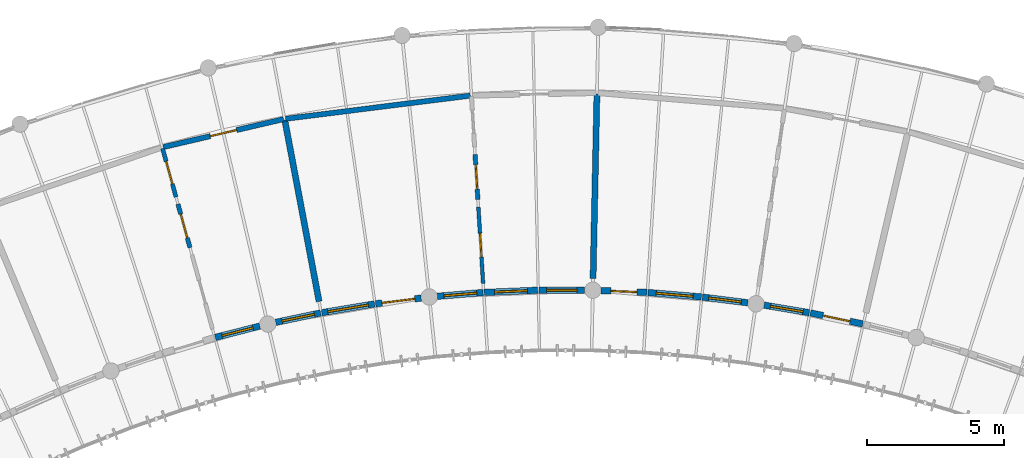
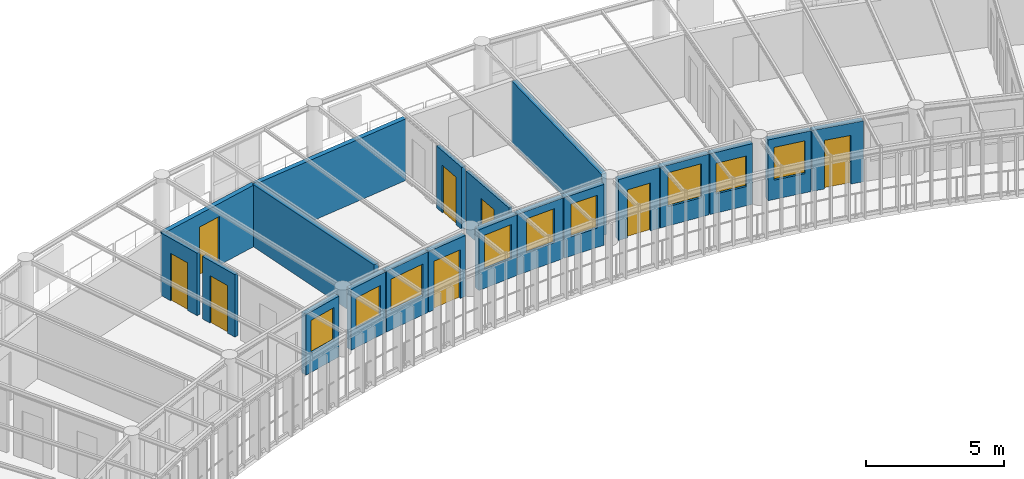
# One storey, part 73 of 100: 20 walls, 9 windows, 8 doors, 17 openings.
"""IFC4 building model written with IfcOpenShell, lengths in metres."""

from ifc_helpers import new_model, si_unit, direction, frame, frame_2d, origin, place, context, subcontext, project, spatial, rectangle, extrude, material, layer, layer_set, type_object, element, fill, save


model = new_model("IFC4")

# Units and contexts
model_context = context("Model", 3, precision=1e-05, world=origin(), true_north=direction((0.0, 1.0)))
body_context = subcontext(model_context, "Body", "Model", "MODEL_VIEW")
ifc_project = project(units=[si_unit("LENGTHUNIT", "METRE"), si_unit("AREAUNIT", "SQUARE_METRE"), si_unit("VOLUMEUNIT", "CUBIC_METRE"), si_unit("PLANEANGLEUNIT", "RADIAN"), si_unit("MASSUNIT", "GRAM", prefix="KILO"), si_unit("POWERUNIT", "WATT"), si_unit("THERMODYNAMICTEMPERATUREUNIT", "KELVIN")], contexts=[model_context])

# Site, building, storey
site_placement = place(None, origin())
site = spatial("IfcSite", under=ifc_project, at=site_placement, CompositionType="ELEMENT")
building_placement = place(site_placement, origin())
building = spatial("IfcBuilding", under=site, at=building_placement, Name="Ruvembo Vaulted Housing Court", CompositionType="ELEMENT")
storey_placement = place(building_placement, frame((0.0, 0.0, 14.10009765625)))
storey = spatial("IfcBuildingStorey", under=building, at=storey_placement, Name="L04", CompositionType="ELEMENT", Elevation=14.10009765625)

# Wall, opening, door
ifc_material_1 = material(Name="Concrete Blockwork 190", Category="masonry")
ifc_layer_1 = layer(ifc_material_1, 0.18994140625, Name="Concrete Blockwork 190")
ifc_layer_set_1 = layer_set([ifc_layer_1], Name="Concrete Blockwork 190")
wall_type_1 = type_object("IfcWallType", Name="WL-CORR-190", PredefinedType="SOLIDWALL", material=ifc_layer_set_1)
wall_1_placement = place(storey_placement, frame((102.324951171875, 103.2119140625, 0.0), z_axis=(0.0, 0.0, 1.0), x_axis=(0.974052809246, 0.226320844821, 0.0)))
wall_1 = element("IfcWall", 1, at=wall_1_placement, inside=storey, type_object=wall_type_1, Name="L04 Suite SC3-L04-U2 Entrance WL-INT-L04-01352", PredefinedType="SOLIDWALL", context=body_context, shape_type="SweptSolid", body=[
    extrude(rectangle(XDim=4.50146484375, YDim=0.18994140625, at=frame_2d((2.250732421875, 0.0))), origin(), (0.0, 0.0, 1.0), 2.721923828125),
])
opening_1_placement = place(wall_1_placement, frame((1.7607421875, 0.0, 0.0)))
opening_1 = element("IfcOpeningElement", 2, at=opening_1_placement, cuts=wall_1, Name="Opening FD2", PredefinedType="OPENING", context=body_context, shape_type="SweptSolid", body=[
    extrude(rectangle(XDim=0.97998046875, YDim=2.14990234375, at=frame_2d((0.489990234375, 1.074951171875))), frame((0.0, 0.10498046875, 0.0), z_axis=(0.0, -1.0, 0.0), x_axis=(1.0, 0.0, 0.0)), (0.0, 0.0, 1.0), 0.2099609375),
])
ifc_material_2 = material(Name="FSC Hardwood and Engineered Timber", Category="wood")
door_type_1 = type_object("IfcDoorType", Name="DR-FLAT-0980x2150", OperationType="NOTDEFINED", PredefinedType="DOOR", material=ifc_material_2)
door_1_placement = place(opening_1_placement, origin())
door_1 = element("IfcDoor", 3, at=door_1_placement, inside=storey, type_object=door_type_1, Name="L04 Suite SC3-L04-U2 Entrance Door DR-INT-L04-00760", OperationType="SINGLE_SWING_RIGHT", OverallHeight=2.14990234375, OverallWidth=0.97998046875, PredefinedType="DOOR", context=body_context, shape_type="SweptSolid", body=[
    extrude(rectangle(XDim=0.97998046875, YDim=2.14990234375, at=frame_2d((0.489990234375, 1.074951171875))), frame((0.0, 0.02490234375, 0.0), z_axis=(0.0, -1.0, 0.0), x_axis=(1.0, 0.0, 0.0)), (0.0, 0.0, 1.0), 0.050048828125),
])
fill(opening_1, door_1)

# Walls
wall_2_placement = place(storey_placement, frame((106.788330078125, 104.244873046875, 0.0), z_axis=(0.0, 0.0, 1.0), x_axis=(0.992257394877, 0.124198479504, 0.0)))
element("IfcWall", 4, at=wall_2_placement, inside=storey, type_object=wall_type_1, Name="L04 Suite SC3-L04-U3 Gallery Wall WL-INT-L04-01357", PredefinedType="SOLIDWALL", context=body_context, shape_type="SweptSolid", body=[
    extrude(rectangle(XDim=6.78955078125, YDim=0.18994140625, at=frame_2d((3.394775390625, 0.0))), origin(), (0.0, 0.0, 1.0), 2.721923828125),
])
ifc_material_3 = material(Name="Acoustic Masonry Demising 220", Category="masonry")
ifc_layer_2 = layer(ifc_material_3, 0.219970703125, Name="Acoustic Masonry Demising 220")
ifc_layer_set_2 = layer_set([ifc_layer_2], Name="Acoustic Masonry Demising 220")
wall_type_2 = type_object("IfcWallType", Name="WL-DEM-200", PredefinedType="SOLIDWALL", material=ifc_layer_set_2)
wall_3_placement = place(storey_placement, frame((108.007080078125, 97.58154296875, 0.0), z_axis=(0.0, 0.0, 1.0), x_axis=(-0.185712925624, 0.982604045003, 0.0)))
element("IfcWall", 5, at=wall_3_placement, inside=storey, type_object=wall_type_2, Name="L04 Suite SC3-L04-U2 Demising WL-INT-L04-01356", PredefinedType="SOLIDWALL", context=body_context, shape_type="SweptSolid", body=[
    extrude(rectangle(XDim=6.736083984375, YDim=0.219970703125, at=frame_2d((3.3681640625, 0.0))), origin(), (0.0, 0.0, 1.0), 2.741943359375),
])
wall_4_placement = place(storey_placement, frame((118.0048828125, 98.41357421875, 0.0), z_axis=(0.0, 0.0, 1.0), x_axis=(0.020767678819, 0.999784328501, 0.0)))
element("IfcWall", 6, at=wall_4_placement, inside=storey, type_object=wall_type_2, Name="L04 Suite SC3-L04-U3 Demising WL-INT-L04-01362", PredefinedType="SOLIDWALL", context=body_context, shape_type="SweptSolid", body=[
    extrude(rectangle(XDim=6.736083984375, YDim=0.219970703125, at=frame_2d((3.3681640625, 0.0))), origin(), (0.0, 0.0, 1.0), 2.721923828125),
])

# Wall, opening, window
ifc_material_4 = material(Name="Rendered Masonry 235", Category="masonry")
ifc_layer_3 = layer(ifc_material_4, 0.235107421875, Name="Rendered Masonry 235")
ifc_layer_set_3 = layer_set([ifc_layer_3], Name="Rendered Masonry 235")
wall_type_3 = type_object("IfcWallType", Name="WL-EXT-235", PredefinedType="STANDARD", material=ifc_layer_set_3)
wall_5_placement = place(storey_placement, frame((104.224609375, 96.268310546875, 0.0), z_axis=(0.0, 0.0, 1.0), x_axis=(0.969164394975, 0.246415047254, 0.0)))
wall_5 = element("IfcWall", 7, at=wall_5_placement, inside=storey, type_object=wall_type_3, Name="Scoop SC3 L04 Concave Balcony Wall 8", PredefinedType="STANDARD", context=body_context, shape_type="SweptSolid", body=[
    extrude(rectangle(XDim=1.67236328125, YDim=0.235107421875, at=frame_2d((0.836181640625, 0.0))), origin(), (0.0, 0.0, 1.0), 2.683837890625),
])
opening_2_placement = place(wall_5_placement, frame((0.26123046875, 0.0, 0.85009765625)))
opening_2 = element("IfcOpeningElement", 8, at=opening_2_placement, cuts=wall_5, Name="Opening W11", PredefinedType="OPENING", context=body_context, shape_type="SweptSolid", body=[
    extrude(rectangle(XDim=1.14990234375, YDim=1.449951171875, at=frame_2d((0.574951171875, 0.72509765625))), frame((0.0, 0.12744140625, 0.0), z_axis=(0.0, -1.0, 0.0), x_axis=(1.0, 0.0, 0.0)), (0.0, 0.0, 1.0), 0.255126953125),
])
ifc_material_5 = material(Name="Double Solar-Control Glazing in Aluminium Frame", Category="aluminium")
window_type_1 = type_object("IfcWindowType", Name="WIN-1150x1450", PartitioningType="SINGLE_PANEL", PredefinedType="WINDOW", material=ifc_material_5)
window_1_placement = place(opening_2_placement, origin())
window_1 = element("IfcWindow", 9, at=window_1_placement, inside=storey, type_object=window_type_1, Name="Scoop SC3 L04 Concave Window 8", OverallHeight=1.449951171875, OverallWidth=1.14990234375, PartitioningType="SINGLE_PANEL", PredefinedType="WINDOW", context=body_context, shape_type="SweptSolid", body=[
    extrude(rectangle(XDim=1.14990234375, YDim=1.449951171875, at=frame_2d((0.574951171875, 0.72509765625))), frame((0.0, 0.030029296875, 0.0), z_axis=(0.0, -1.0, 0.0), x_axis=(1.0, 0.0, 0.0)), (0.0, 0.0, 1.0), 0.06005859375),
])
fill(opening_2, window_1)

wall_6_placement = place(storey_placement, frame((106.4296875, 96.816162109375, 0.0), z_axis=(0.0, 0.0, 1.0), x_axis=(0.978524995622, 0.206128195408, 0.0)))
wall_6 = element("IfcWall", 10, at=wall_6_placement, inside=storey, type_object=wall_type_3, Name="Scoop SC3 L04 Concave Balcony Wall 9", PredefinedType="STANDARD", context=body_context, shape_type="SweptSolid", body=[
    extrude(rectangle(XDim=1.67236328125, YDim=0.235107421875, at=frame_2d((0.836181640625, 0.0))), origin(), (0.0, 0.0, 1.0), 2.683837890625),
])
opening_3_placement = place(wall_6_placement, frame((0.236083984375, 0.0, 0.85009765625)))
opening_3 = element("IfcOpeningElement", 11, at=opening_3_placement, cuts=wall_6, Name="Opening W12", PredefinedType="OPENING", context=body_context, shape_type="SweptSolid", body=[
    extrude(rectangle(XDim=1.199951171875, YDim=1.35009765625, at=frame_2d((0.60009765625, 0.675048828125))), frame((0.0, 0.12744140625, 0.0), z_axis=(0.0, -1.0, 0.0), x_axis=(1.0, 0.0, 0.0)), (0.0, 0.0, 1.0), 0.255126953125),
])
window_type_2 = type_object("IfcWindowType", Name="WIN-1200x1350", PartitioningType="SINGLE_PANEL", PredefinedType="WINDOW", material=ifc_material_5)
window_2_placement = place(opening_3_placement, origin())
window_2 = element("IfcWindow", 12, at=window_2_placement, inside=storey, type_object=window_type_2, Name="Scoop SC3 L04 Concave Window 9", OverallHeight=1.35009765625, OverallWidth=1.199951171875, PartitioningType="SINGLE_PANEL", PredefinedType="WINDOW", context=body_context, shape_type="SweptSolid", body=[
    extrude(rectangle(XDim=1.199951171875, YDim=1.35009765625, at=frame_2d((0.60009765625, 0.675048828125))), frame((0.0, 0.030029296875, 0.0), z_axis=(0.0, -1.0, 0.0), x_axis=(1.0, 0.0, 0.0)), (0.0, 0.0, 1.0), 0.06005859375),
])
fill(opening_3, window_2)

wall_7_placement = place(storey_placement, frame((108.10546875, 97.168212890625, 0.0), z_axis=(0.0, 0.0, 1.0), x_axis=(0.986241418229, 0.165311418144, 0.0)))
wall_7 = element("IfcWall", 13, at=wall_7_placement, inside=storey, type_object=wall_type_3, Name="Scoop SC3 L04 Concave Balcony Wall 10", PredefinedType="STANDARD", context=body_context, shape_type="SweptSolid", body=[
    extrude(rectangle(XDim=1.952392578125, YDim=0.235107421875, at=frame_2d((0.97607421875, 0.0))), origin(), (0.0, 0.0, 1.0), 2.683837890625),
])
opening_4_placement = place(wall_7_placement, frame((0.226318359375, 0.0, 0.85009765625)))
opening_4 = element("IfcOpeningElement", 14, at=opening_4_placement, cuts=wall_7, Name="Opening W18", PredefinedType="OPENING", context=body_context, shape_type="SweptSolid", body=[
    extrude(rectangle(XDim=1.5, YDim=1.39990234375, at=frame_2d((0.75, 0.699951171875))), frame((0.0, 0.12744140625, 0.0), z_axis=(0.0, -1.0, 0.0), x_axis=(1.0, 0.0, 0.0)), (0.0, 0.0, 1.0), 0.255126953125),
])
window_type_3 = type_object("IfcWindowType", Name="WIN-1500x1400", PartitioningType="SINGLE_PANEL", PredefinedType="WINDOW", material=ifc_material_5)
window_3_placement = place(opening_4_placement, origin())
window_3 = element("IfcWindow", 15, at=window_3_placement, inside=storey, type_object=window_type_3, Name="Scoop SC3 L04 Concave Window 10", OverallHeight=1.39990234375, OverallWidth=1.5, PartitioningType="SINGLE_PANEL", PredefinedType="WINDOW", context=body_context, shape_type="SweptSolid", body=[
    extrude(rectangle(XDim=1.5, YDim=1.39990234375, at=frame_2d((0.75, 0.699951171875))), frame((0.0, 0.030029296875, 0.0), z_axis=(0.0, -1.0, 0.0), x_axis=(1.0, 0.0, 0.0)), (0.0, 0.0, 1.0), 0.06005859375),
])
fill(opening_4, window_3)

# Wall, opening, door
wall_8_placement = place(storey_placement, frame((110.070556640625, 97.496826171875, 0.0), z_axis=(0.0, 0.0, 1.0), x_axis=(0.992253152049, 0.124232371987, 0.0)))
wall_8 = element("IfcWall", 16, at=wall_8_placement, inside=storey, type_object=wall_type_3, Name="Scoop SC3 L04 Concave Balcony Wall 11", PredefinedType="STANDARD", context=body_context, shape_type="SweptSolid", body=[
    extrude(rectangle(XDim=1.67236328125, YDim=0.235107421875, at=frame_2d((0.836181640625, 0.0))), origin(), (0.0, 0.0, 1.0), 2.683837890625),
])
opening_5_placement = place(wall_8_placement, frame((0.236083984375, 0.0, 0.0)))
opening_5 = element("IfcOpeningElement", 17, at=opening_5_placement, cuts=wall_8, Name="Opening BD2", PredefinedType="OPENING", context=body_context, shape_type="SweptSolid", body=[
    extrude(rectangle(XDim=1.199951171875, YDim=2.14990234375, at=frame_2d((0.60009765625, 1.074951171875))), frame((0.0, 0.12744140625, 0.0), z_axis=(0.0, -1.0, 0.0), x_axis=(1.0, 0.0, 0.0)), (0.0, 0.0, 1.0), 0.255126953125),
])
ifc_material_6 = material(Name="Thermally Broken Glazed Aluminium", Category="aluminium")
door_type_2 = type_object("IfcDoorType", Name="DR-BAL-1200x2150", OperationType="NOTDEFINED", PredefinedType="DOOR", material=ifc_material_6)
door_2_placement = place(opening_5_placement, frame((1.199951171875, 0.0, 0.0), z_axis=(0.0, 0.0, 1.0), x_axis=(-1.0, 0.0, 0.0)))
door_2 = element("IfcDoor", 18, at=door_2_placement, inside=storey, type_object=door_type_2, Name="Scoop SC3 L04 Balcony Door 11", OperationType="SINGLE_SWING_RIGHT", OverallHeight=2.14990234375, OverallWidth=1.199951171875, PredefinedType="DOOR", context=body_context, shape_type="SweptSolid", body=[
    extrude(rectangle(XDim=1.199951171875, YDim=2.14990234375, at=frame_2d((0.60009765625, 1.074951171875))), frame((0.0, 0.02490234375, 0.0), z_axis=(0.0, -1.0, 0.0), x_axis=(1.0, 0.0, 0.0)), (0.0, 0.0, 1.0), 0.050048828125),
])
fill(opening_5, door_2)

# Wall, opening, window
wall_9_placement = place(storey_placement, frame((112.32666015625, 97.7666015625, 0.0), z_axis=(0.0, 0.0, 1.0), x_axis=(0.996556823189, 0.082912593463, 0.0)))
wall_9 = element("IfcWall", 19, at=wall_9_placement, inside=storey, type_object=wall_type_3, Name="Scoop SC3 L04 Concave Balcony Wall 12", PredefinedType="STANDARD", context=body_context, shape_type="SweptSolid", body=[
    extrude(rectangle(XDim=1.672607421875, YDim=0.235107421875, at=frame_2d((0.83642578125, 0.0))), origin(), (0.0, 0.0, 1.0), 2.683837890625),
])
opening_6_placement = place(wall_9_placement, frame((0.236083984375, 0.0, 0.85009765625)))
opening_6 = element("IfcOpeningElement", 20, at=opening_6_placement, cuts=wall_9, Name="Opening W14", PredefinedType="OPENING", context=body_context, shape_type="SweptSolid", body=[
    extrude(rectangle(XDim=1.199951171875, YDim=1.5, at=frame_2d((0.60009765625, 0.75))), frame((0.0, 0.12744140625, 0.0), z_axis=(0.0, -1.0, 0.0), x_axis=(1.0, 0.0, 0.0)), (0.0, 0.0, 1.0), 0.255126953125),
])
window_type_4 = type_object("IfcWindowType", Name="WIN-1200x1500", PartitioningType="SINGLE_PANEL", PredefinedType="WINDOW", material=ifc_material_5)
window_4_placement = place(opening_6_placement, origin())
window_4 = element("IfcWindow", 21, at=window_4_placement, inside=storey, type_object=window_type_4, Name="Scoop SC3 L04 Concave Window 12", OverallHeight=1.5, OverallWidth=1.199951171875, PartitioningType="SINGLE_PANEL", PredefinedType="WINDOW", context=body_context, shape_type="SweptSolid", body=[
    extrude(rectangle(XDim=1.199951171875, YDim=1.5, at=frame_2d((0.60009765625, 0.75))), frame((0.0, 0.030029296875, 0.0), z_axis=(0.0, -1.0, 0.0), x_axis=(1.0, 0.0, 0.0)), (0.0, 0.0, 1.0), 0.06005859375),
])
fill(opening_6, window_4)

wall_10_placement = place(storey_placement, frame((114.033203125, 97.90771484375, 0.0), z_axis=(0.0, 0.0, 1.0), x_axis=(0.999132639597, 0.041640947307, 0.0)))
wall_10 = element("IfcWall", 22, at=wall_10_placement, inside=storey, type_object=wall_type_3, Name="Scoop SC3 L04 Concave Balcony Wall 13", PredefinedType="STANDARD", context=body_context, shape_type="SweptSolid", body=[
    extrude(rectangle(XDim=1.952392578125, YDim=0.235107421875, at=frame_2d((0.97607421875, 0.0))), origin(), (0.0, 0.0, 1.0), 2.683837890625),
])
opening_7_placement = place(wall_10_placement, frame((0.376220703125, 0.0, 0.85009765625)))
opening_7 = element("IfcOpeningElement", 23, at=opening_7_placement, cuts=wall_10, Name="Opening W14", PredefinedType="OPENING", context=body_context, shape_type="SweptSolid", body=[
    extrude(rectangle(XDim=1.199951171875, YDim=1.5, at=frame_2d((0.60009765625, 0.75))), frame((0.0, 0.12744140625, 0.0), z_axis=(0.0, -1.0, 0.0), x_axis=(1.0, 0.0, 0.0)), (0.0, 0.0, 1.0), 0.255126953125),
])
window_5_placement = place(opening_7_placement, origin())
window_5 = element("IfcWindow", 24, at=window_5_placement, inside=storey, type_object=window_type_4, Name="Scoop SC3 L04 Concave Window 13", OverallHeight=1.5, OverallWidth=1.199951171875, PartitioningType="SINGLE_PANEL", PredefinedType="WINDOW", context=body_context, shape_type="SweptSolid", body=[
    extrude(rectangle(XDim=1.199951171875, YDim=1.5, at=frame_2d((0.60009765625, 0.75))), frame((0.0, 0.030029296875, 0.0), z_axis=(0.0, -1.0, 0.0), x_axis=(1.0, 0.0, 0.0)), (0.0, 0.0, 1.0), 0.06005859375),
])
fill(opening_7, window_5)

wall_11_placement = place(storey_placement, frame((116.023681640625, 97.98974609375, 0.0), z_axis=(0.0, 0.0, 1.0), x_axis=(1.0, 0.0, 0.0)))
wall_11 = element("IfcWall", 25, at=wall_11_placement, inside=storey, type_object=wall_type_3, Name="Scoop SC3 L04 Concave Balcony Wall 14", PredefinedType="STANDARD", context=body_context, shape_type="SweptSolid", body=[
    extrude(rectangle(XDim=1.672607421875, YDim=0.235107421875, at=frame_2d((0.83642578125, 0.0))), origin(), (0.0, 0.0, 1.0), 2.683837890625),
])
opening_8_placement = place(wall_11_placement, frame((0.2861328125, 0.0, 0.85009765625)))
opening_8 = element("IfcOpeningElement", 26, at=opening_8_placement, cuts=wall_11, Name="Opening W10", PredefinedType="OPENING", context=body_context, shape_type="SweptSolid", body=[
    extrude(rectangle(XDim=1.10009765625, YDim=1.449951171875, at=frame_2d((0.550048828125, 0.72509765625))), frame((0.0, 0.12744140625, 0.0), z_axis=(0.0, -1.0, 0.0), x_axis=(1.0, 0.0, 0.0)), (0.0, 0.0, 1.0), 0.255126953125),
])
window_type_5 = type_object("IfcWindowType", Name="WIN-1100x1450", PartitioningType="SINGLE_PANEL", PredefinedType="WINDOW", material=ifc_material_5)
window_6_placement = place(opening_8_placement, origin())
window_6 = element("IfcWindow", 27, at=window_6_placement, inside=storey, type_object=window_type_5, Name="Scoop SC3 L04 Concave Window 14", OverallHeight=1.449951171875, OverallWidth=1.10009765625, PartitioningType="SINGLE_PANEL", PredefinedType="WINDOW", context=body_context, shape_type="SweptSolid", body=[
    extrude(rectangle(XDim=1.10009765625, YDim=1.449951171875, at=frame_2d((0.550048828125, 0.72509765625))), frame((0.0, 0.030029296875, 0.0), z_axis=(0.0, -1.0, 0.0), x_axis=(1.0, 0.0, 0.0)), (0.0, 0.0, 1.0), 0.06005859375),
])
fill(opening_8, window_6)

# Wall, opening, door
wall_12_placement = place(storey_placement, frame((118.2958984375, 97.977294921875, 0.0), z_axis=(0.0, 0.0, 1.0), x_axis=(0.999134084838, -0.041606255725, 0.0)))
wall_12 = element("IfcWall", 28, at=wall_12_placement, inside=storey, type_object=wall_type_3, Name="Scoop SC3 L04 Concave Balcony Wall 15", PredefinedType="STANDARD", context=body_context, shape_type="SweptSolid", body=[
    extrude(rectangle(XDim=1.67236328125, YDim=0.235107421875, at=frame_2d((0.836181640625, 0.0))), origin(), (0.0, 0.0, 1.0), 2.683837890625),
])
opening_9_placement = place(wall_12_placement, frame((0.361083984375, 0.0, 0.0)))
opening_9 = element("IfcOpeningElement", 29, at=opening_9_placement, cuts=wall_12, Name="Opening BD0", PredefinedType="OPENING", context=body_context, shape_type="SweptSolid", body=[
    extrude(rectangle(XDim=0.949951171875, YDim=2.1201171875, at=frame_2d((0.47509765625, 1.06005859375))), frame((0.0, 0.12744140625, 0.0), z_axis=(0.0, -1.0, 0.0), x_axis=(1.0, 0.0, 0.0)), (0.0, 0.0, 1.0), 0.255126953125),
])
door_type_3 = type_object("IfcDoorType", Name="DR-BAL-0950x2120", OperationType="NOTDEFINED", PredefinedType="DOOR", material=ifc_material_6)
door_3_placement = place(opening_9_placement, frame((0.949951171875, 0.0, 0.0), z_axis=(0.0, 0.0, 1.0), x_axis=(-1.0, 0.0, 0.0)))
door_3 = element("IfcDoor", 30, at=door_3_placement, inside=storey, type_object=door_type_3, Name="Scoop SC3 L04 Balcony Door 15", OperationType="SINGLE_SWING_LEFT", OverallHeight=2.1201171875, OverallWidth=0.949951171875, PredefinedType="DOOR", context=body_context, shape_type="SweptSolid", body=[
    extrude(rectangle(XDim=0.949951171875, YDim=2.1201171875, at=frame_2d((0.47509765625, 1.06005859375))), frame((0.0, 0.02490234375, 0.0), z_axis=(0.0, -1.0, 0.0), x_axis=(1.0, 0.0, 0.0)), (0.0, 0.0, 1.0), 0.050048828125),
])
fill(opening_9, door_3)

# Wall, opening, window
wall_13_placement = place(storey_placement, frame((120.006591796875, 97.9052734375, 0.0), z_axis=(0.0, 0.0, 1.0), x_axis=(0.996557820409, -0.082900606641, 0.0)))
wall_13 = element("IfcWall", 31, at=wall_13_placement, inside=storey, type_object=wall_type_3, Name="Scoop SC3 L04 Concave Balcony Wall 16", PredefinedType="STANDARD", context=body_context, shape_type="SweptSolid", body=[
    extrude(rectangle(XDim=1.95263671875, YDim=0.235107421875, at=frame_2d((0.976318359375, 0.0))), origin(), (0.0, 0.0, 1.0), 2.683837890625),
])
opening_10_placement = place(wall_13_placement, frame((0.30126953125, 0.0, 0.85009765625)))
opening_10 = element("IfcOpeningElement", 32, at=opening_10_placement, cuts=wall_13, Name="Opening W16", PredefinedType="OPENING", context=body_context, shape_type="SweptSolid", body=[
    extrude(rectangle(XDim=1.35009765625, YDim=1.5, at=frame_2d((0.675048828125, 0.75))), frame((0.0, 0.12744140625, 0.0), z_axis=(0.0, -1.0, 0.0), x_axis=(1.0, 0.0, 0.0)), (0.0, 0.0, 1.0), 0.255126953125),
])
window_type_6 = type_object("IfcWindowType", Name="WIN-1350x1500", PartitioningType="SINGLE_PANEL", PredefinedType="WINDOW", material=ifc_material_5)
window_7_placement = place(opening_10_placement, origin())
window_7 = element("IfcWindow", 33, at=window_7_placement, inside=storey, type_object=window_type_6, Name="Scoop SC3 L04 Concave Window 16", OverallHeight=1.5, OverallWidth=1.35009765625, PartitioningType="SINGLE_PANEL", PredefinedType="WINDOW", context=body_context, shape_type="SweptSolid", body=[
    extrude(rectangle(XDim=1.35009765625, YDim=1.5, at=frame_2d((0.675048828125, 0.75))), frame((0.0, 0.030029296875, 0.0), z_axis=(0.0, -1.0, 0.0), x_axis=(1.0, 0.0, 0.0)), (0.0, 0.0, 1.0), 0.06005859375),
])
fill(opening_10, window_7)

wall_14_placement = place(storey_placement, frame((121.9921875, 97.7392578125, 0.0), z_axis=(0.0, 0.0, 1.0), x_axis=(0.992253152049, -0.124232371987, 0.0)))
wall_14 = element("IfcWall", 34, at=wall_14_placement, inside=storey, type_object=wall_type_3, Name="Scoop SC3 L04 Concave Balcony Wall 17", PredefinedType="STANDARD", context=body_context, shape_type="SweptSolid", body=[
    extrude(rectangle(XDim=1.67236328125, YDim=0.235107421875, at=frame_2d((0.836181640625, 0.0))), origin(), (0.0, 0.0, 1.0), 2.683837890625),
])
opening_11_placement = place(wall_14_placement, frame((0.236083984375, 0.0, 0.85009765625)))
opening_11 = element("IfcOpeningElement", 35, at=opening_11_placement, cuts=wall_14, Name="Opening W12", PredefinedType="OPENING", context=body_context, shape_type="SweptSolid", body=[
    extrude(rectangle(XDim=1.199951171875, YDim=1.35009765625, at=frame_2d((0.60009765625, 0.675048828125))), frame((0.0, 0.12744140625, 0.0), z_axis=(0.0, -1.0, 0.0), x_axis=(1.0, 0.0, 0.0)), (0.0, 0.0, 1.0), 0.255126953125),
])
window_8_placement = place(opening_11_placement, origin())
window_8 = element("IfcWindow", 36, at=window_8_placement, inside=storey, type_object=window_type_2, Name="Scoop SC3 L04 Concave Window 17", OverallHeight=1.35009765625, OverallWidth=1.199951171875, PartitioningType="SINGLE_PANEL", PredefinedType="WINDOW", context=body_context, shape_type="SweptSolid", body=[
    extrude(rectangle(XDim=1.199951171875, YDim=1.35009765625, at=frame_2d((0.60009765625, 0.675048828125))), frame((0.0, 0.030029296875, 0.0), z_axis=(0.0, -1.0, 0.0), x_axis=(1.0, 0.0, 0.0)), (0.0, 0.0, 1.0), 0.06005859375),
])
fill(opening_11, window_8)

wall_15_placement = place(storey_placement, frame((124.2451171875, 97.444580078125, 0.0), z_axis=(0.0, 0.0, 1.0), x_axis=(0.986251519559, -0.165251142709, 0.0)))
wall_15 = element("IfcWall", 37, at=wall_15_placement, inside=storey, type_object=wall_type_3, Name="Scoop SC3 L04 Concave Balcony Wall 18", PredefinedType="STANDARD", context=body_context, shape_type="SweptSolid", body=[
    extrude(rectangle(XDim=1.67236328125, YDim=0.235107421875, at=frame_2d((0.836181640625, 0.0))), origin(), (0.0, 0.0, 1.0), 2.683837890625),
])
opening_12_placement = place(wall_15_placement, frame((0.236083984375, 0.0, 0.85009765625)))
opening_12 = element("IfcOpeningElement", 38, at=opening_12_placement, cuts=wall_15, Name="Opening W13", PredefinedType="OPENING", context=body_context, shape_type="SweptSolid", body=[
    extrude(rectangle(XDim=1.199951171875, YDim=1.449951171875, at=frame_2d((0.60009765625, 0.72509765625))), frame((0.0, 0.12744140625, 0.0), z_axis=(0.0, -1.0, 0.0), x_axis=(1.0, 0.0, 0.0)), (0.0, 0.0, 1.0), 0.255126953125),
])
window_type_7 = type_object("IfcWindowType", Name="WIN-1200x1450", PartitioningType="SINGLE_PANEL", PredefinedType="WINDOW", material=ifc_material_5)
window_9_placement = place(opening_12_placement, origin())
window_9 = element("IfcWindow", 39, at=window_9_placement, inside=storey, type_object=window_type_7, Name="Scoop SC3 L04 Concave Window 18", OverallHeight=1.449951171875, OverallWidth=1.199951171875, PartitioningType="SINGLE_PANEL", PredefinedType="WINDOW", context=body_context, shape_type="SweptSolid", body=[
    extrude(rectangle(XDim=1.199951171875, YDim=1.449951171875, at=frame_2d((0.60009765625, 0.72509765625))), frame((0.0, 0.030029296875, 0.0), z_axis=(0.0, -1.0, 0.0), x_axis=(1.0, 0.0, 0.0)), (0.0, 0.0, 1.0), 0.06005859375),
])
fill(opening_12, window_9)

# Wall, opening, door
wall_16_placement = place(storey_placement, frame((125.933837890625, 97.160888671875, 0.0), z_axis=(0.0, 0.0, 1.0), x_axis=(0.978533860292, -0.206086108851, 0.0)))
wall_16 = element("IfcWall", 40, at=wall_16_placement, inside=storey, type_object=wall_type_3, Name="Scoop SC3 L04 Concave Balcony Wall 19", PredefinedType="STANDARD", context=body_context, shape_type="SweptSolid", body=[
    extrude(rectangle(XDim=1.952392578125, YDim=0.235107421875, at=frame_2d((0.97607421875, 0.0))), origin(), (0.0, 0.0, 1.0), 2.683837890625),
])
opening_13_placement = place(wall_16_placement, frame((0.476318359375, 0.0, 0.0)))
opening_13 = element("IfcOpeningElement", 41, at=opening_13_placement, cuts=wall_16, Name="Opening BD1", PredefinedType="OPENING", context=body_context, shape_type="SweptSolid", body=[
    extrude(rectangle(XDim=1.0, YDim=2.14990234375, at=frame_2d((0.5, 1.074951171875))), frame((0.0, 0.12744140625, 0.0), z_axis=(0.0, -1.0, 0.0), x_axis=(1.0, 0.0, 0.0)), (0.0, 0.0, 1.0), 0.255126953125),
])
door_type_4 = type_object("IfcDoorType", Name="DR-BAL-1000x2150", OperationType="NOTDEFINED", PredefinedType="DOOR", material=ifc_material_6)
door_4_placement = place(opening_13_placement, frame((1.0, 0.0, 0.0), z_axis=(0.0, 0.0, 1.0), x_axis=(-1.0, 0.0, 0.0)))
door_4 = element("IfcDoor", 42, at=door_4_placement, inside=storey, type_object=door_type_4, Name="Scoop SC3 L04 Balcony Door 19", OperationType="SINGLE_SWING_RIGHT", OverallHeight=2.14990234375, OverallWidth=1.0, PredefinedType="DOOR", context=body_context, shape_type="SweptSolid", body=[
    extrude(rectangle(XDim=1.0, YDim=2.14990234375, at=frame_2d((0.5, 1.074951171875))), frame((0.0, 0.02490234375, 0.0), z_axis=(0.0, -1.0, 0.0), x_axis=(1.0, 0.0, 0.0)), (0.0, 0.0, 1.0), 0.050048828125),
])
fill(opening_13, door_4)

ifc_material_7 = material(Name="Acoustic Stud Partition 135", Category="gypsum")
ifc_layer_4 = layer(ifc_material_7, 0.135009765625, Name="Acoustic Stud Partition 135")
ifc_layer_set_4 = layer_set([ifc_layer_4], Name="Acoustic Stud Partition 135")
wall_type_4 = type_object("IfcWallType", Name="WL-PART-135", PredefinedType="PARTITIONING", material=ifc_layer_set_4)
wall_17_placement = place(storey_placement, frame((113.992919921875, 98.234375, 0.0), z_axis=(0.0, 0.0, 1.0), x_axis=(-0.062253438174, 0.998060373643, 0.0)))
wall_17 = element("IfcWall", 43, at=wall_17_placement, inside=storey, type_object=wall_type_4, Name="L04 Suite SC3-L04-U3 Bedroom WL-INT-L04-01359", PredefinedType="PARTITIONING", context=body_context, shape_type="SweptSolid", body=[
    extrude(rectangle(XDim=2.800048828125, YDim=0.135009765625, at=frame_2d((1.39990234375, 0.0))), origin(), (0.0, 0.0, 1.0), 2.741943359375),
])
opening_14_placement = place(wall_17_placement, frame((0.960205078125, 0.0, 0.0)))
opening_14 = element("IfcOpeningElement", 44, at=opening_14_placement, cuts=wall_17, Name="Opening ID3", PredefinedType="OPENING", context=body_context, shape_type="SweptSolid", body=[
    extrude(rectangle(XDim=0.8798828125, YDim=2.10009765625, at=frame_2d((0.43994140625, 1.050048828125))), frame((0.0, 0.077392578125, 0.0), z_axis=(0.0, -1.0, 0.0), x_axis=(1.0, 0.0, 0.0)), (0.0, 0.0, 1.0), 0.155029296875),
])
door_type_5 = type_object("IfcDoorType", Name="DR-ROOM-0880x2100", OperationType="NOTDEFINED", PredefinedType="DOOR", material=ifc_material_2)
door_5_placement = place(opening_14_placement, origin())
door_5 = element("IfcDoor", 45, at=door_5_placement, inside=storey, type_object=door_type_5, Name="L04 Suite SC3-L04-U3 Bedroom Door DR-INT-L04-00765", OperationType="SINGLE_SWING_LEFT", OverallHeight=2.10009765625, OverallWidth=0.8798828125, PredefinedType="DOOR", context=body_context, shape_type="SweptSolid", body=[
    extrude(rectangle(XDim=0.8798828125, YDim=2.10009765625, at=frame_2d((0.43994140625, 1.050048828125))), frame((0.0, 0.02490234375, 0.0), z_axis=(0.0, -1.0, 0.0), x_axis=(1.0, 0.0, 0.0)), (0.0, 0.0, 1.0), 0.050048828125),
])
fill(opening_14, door_5)

ifc_material_8 = material(Name="Moisture-Resistant Wet Partition 150", Category="gypsum")
ifc_layer_5 = layer(ifc_material_8, 0.14990234375, Name="Moisture-Resistant Wet Partition 150")
ifc_layer_set_5 = layer_set([ifc_layer_5], Name="Moisture-Resistant Wet Partition 150")
wall_type_5 = type_object("IfcWallType", Name="WL-PART-150", PredefinedType="PARTITIONING", material=ifc_layer_set_5)
wall_18_placement = place(storey_placement, frame((102.787109375, 101.390869140625, 0.0), z_axis=(0.0, 0.0, 1.0), x_axis=(-0.266562452526, 0.963817648159, 0.0)))
wall_18 = element("IfcWall", 46, at=wall_18_placement, inside=storey, type_object=wall_type_5, Name="L04 Suite SC3-L04-U2 Bathroom WL-INT-L04-01355", PredefinedType="PARTITIONING", context=body_context, shape_type="SweptSolid", body=[
    extrude(rectangle(XDim=1.840087890625, YDim=0.14990234375, at=frame_2d((0.919921875, 0.0))), origin(), (0.0, 0.0, 1.0), 2.761962890625),
])
opening_15_placement = place(wall_18_placement, frame((0.494873046875, 0.0, 0.0)))
opening_15 = element("IfcOpeningElement", 47, at=opening_15_placement, cuts=wall_18, Name="Opening ID2", PredefinedType="OPENING", context=body_context, shape_type="SweptSolid", body=[
    extrude(rectangle(XDim=0.85009765625, YDim=2.10009765625, at=frame_2d((0.425048828125, 1.050048828125))), frame((0.0, 0.0849609375, 0.0), z_axis=(0.0, -1.0, 0.0), x_axis=(1.0, 0.0, 0.0)), (0.0, 0.0, 1.0), 0.169921875),
])
door_type_6 = type_object("IfcDoorType", Name="DR-WET-0850x2100", OperationType="NOTDEFINED", PredefinedType="DOOR", material=ifc_material_2)
door_6_placement = place(opening_15_placement, origin())
door_6 = element("IfcDoor", 48, at=door_6_placement, inside=storey, type_object=door_type_6, Name="L04 Suite SC3-L04-U2 Bathroom Door DR-INT-L04-00763", OperationType="SINGLE_SWING_LEFT", OverallHeight=2.10009765625, OverallWidth=0.85009765625, PredefinedType="DOOR", context=body_context, shape_type="SweptSolid", body=[
    extrude(rectangle(XDim=0.85009765625, YDim=2.10009765625, at=frame_2d((0.425048828125, 1.050048828125))), frame((0.0, 0.02490234375, 0.0), z_axis=(0.0, -1.0, 0.0), x_axis=(1.0, 0.0, 0.0)), (0.0, 0.0, 1.0), 0.050048828125),
])
fill(opening_15, door_6)

ifc_material_9 = material(Name="Acoustic Service Chase Wall 160", Category="gypsum")
ifc_layer_6 = layer(ifc_material_9, 0.159912109375, Name="Acoustic Service Chase Wall 160")
ifc_layer_set_6 = layer_set([ifc_layer_6], Name="Acoustic Service Chase Wall 160")
wall_type_6 = type_object("IfcWallType", Name="WL-PLUMB-160", PredefinedType="PLUMBINGWALL", material=ifc_layer_set_6)
wall_19_placement = place(storey_placement, frame((103.298828125, 99.540283203125, 0.0), z_axis=(0.0, 0.0, 1.0), x_axis=(-0.266512853444, 0.963831364373, 0.0)))
wall_19 = element("IfcWall", 49, at=wall_19_placement, inside=storey, type_object=wall_type_6, Name="L04 Suite SC3-L04-U2 Kitchen WL-INT-L04-01354", PredefinedType="PLUMBINGWALL", context=body_context, shape_type="SweptSolid", body=[
    extrude(rectangle(XDim=1.64794921875, YDim=0.159912109375, at=frame_2d((0.823974609375, 0.0))), origin(), (0.0, 0.0, 1.0), 2.761962890625),
])
opening_16_placement = place(wall_19_placement, frame((0.3740234375, 0.0, 0.0)))
opening_16 = element("IfcOpeningElement", 50, at=opening_16_placement, cuts=wall_19, Name="Opening ID1", PredefinedType="OPENING", context=body_context, shape_type="SweptSolid", body=[
    extrude(rectangle(XDim=0.89990234375, YDim=2.10009765625, at=frame_2d((0.449951171875, 1.050048828125))), frame((0.0, 0.08984375, 0.0), z_axis=(0.0, -1.0, 0.0), x_axis=(1.0, 0.0, 0.0)), (0.0, 0.0, 1.0), 0.179931640625),
])
door_type_7 = type_object("IfcDoorType", Name="DR-ROOM-0900x2100", OperationType="NOTDEFINED", PredefinedType="DOOR", material=ifc_material_2)
door_7_placement = place(opening_16_placement, origin())
door_7 = element("IfcDoor", 51, at=door_7_placement, inside=storey, type_object=door_type_7, Name="L04 Suite SC3-L04-U2 Kitchen Door DR-INT-L04-00762", OperationType="SINGLE_SWING_RIGHT", OverallHeight=2.10009765625, OverallWidth=0.89990234375, PredefinedType="DOOR", context=body_context, shape_type="SweptSolid", body=[
    extrude(rectangle(XDim=0.89990234375, YDim=2.10009765625, at=frame_2d((0.449951171875, 1.050048828125))), frame((0.0, 0.02490234375, 0.0), z_axis=(0.0, -1.0, 0.0), x_axis=(1.0, 0.0, 0.0)), (0.0, 0.0, 1.0), 0.050048828125),
])
fill(opening_16, door_7)

wall_20_placement = place(storey_placement, frame((113.801513671875, 101.30029296875, 0.0), z_axis=(0.0, 0.0, 1.0), x_axis=(-0.062064740375, 0.998072125651, 0.0)))
wall_20 = element("IfcWall", 52, at=wall_20_placement, inside=storey, type_object=wall_type_6, Name="L04 Suite SC3-L04-U3 Kitchen WL-INT-L04-01360", PredefinedType="PLUMBINGWALL", context=body_context, shape_type="SweptSolid", body=[
    extrude(rectangle(XDim=1.648193359375, YDim=0.159912109375, at=frame_2d((0.82421875, 0.0))), origin(), (0.0, 0.0, 1.0), 2.741943359375),
])
opening_17_placement = place(wall_20_placement, frame((0.3740234375, 0.0, 0.0)))
opening_17 = element("IfcOpeningElement", 53, at=opening_17_placement, cuts=wall_20, Name="Opening ID1", PredefinedType="OPENING", context=body_context, shape_type="SweptSolid", body=[
    extrude(rectangle(XDim=0.89990234375, YDim=2.10009765625, at=frame_2d((0.449951171875, 1.050048828125))), frame((0.0, 0.08984375, 0.0), z_axis=(0.0, -1.0, 0.0), x_axis=(1.0, 0.0, 0.0)), (0.0, 0.0, 1.0), 0.179931640625),
])
door_8_placement = place(opening_17_placement, origin())
door_8 = element("IfcDoor", 54, at=door_8_placement, inside=storey, type_object=door_type_7, Name="L04 Suite SC3-L04-U3 Kitchen Door DR-INT-L04-00766", OperationType="SINGLE_SWING_RIGHT", OverallHeight=2.10009765625, OverallWidth=0.89990234375, PredefinedType="DOOR", context=body_context, shape_type="SweptSolid", body=[
    extrude(rectangle(XDim=0.89990234375, YDim=2.10009765625, at=frame_2d((0.449951171875, 1.050048828125))), frame((0.0, 0.02490234375, 0.0), z_axis=(0.0, -1.0, 0.0), x_axis=(1.0, 0.0, 0.0)), (0.0, 0.0, 1.0), 0.050048828125),
])
fill(opening_17, door_8)

save(model, "model.ifc")
